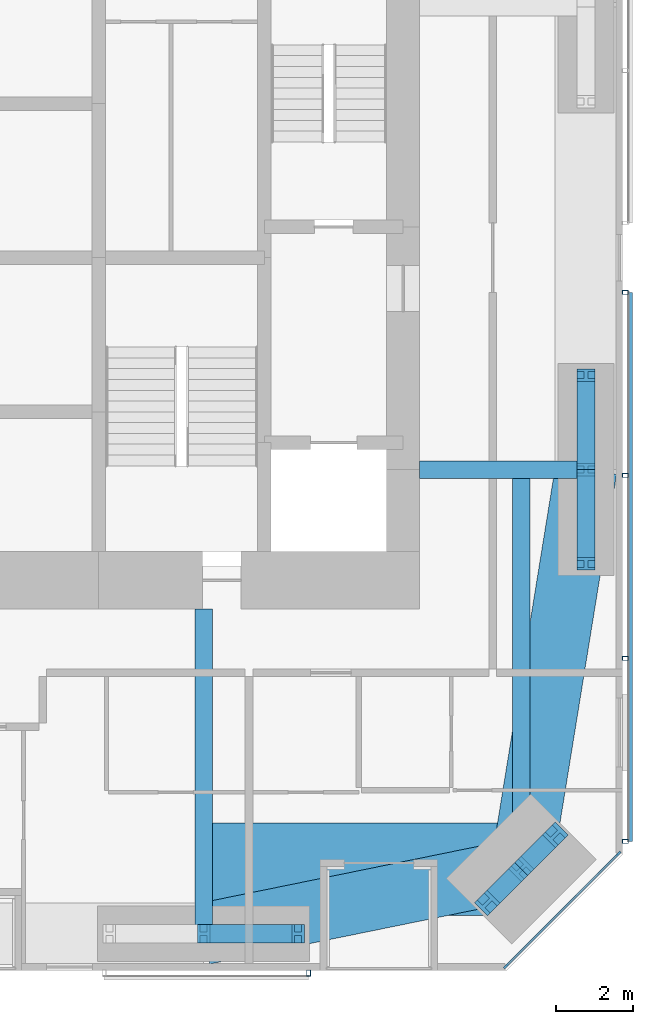
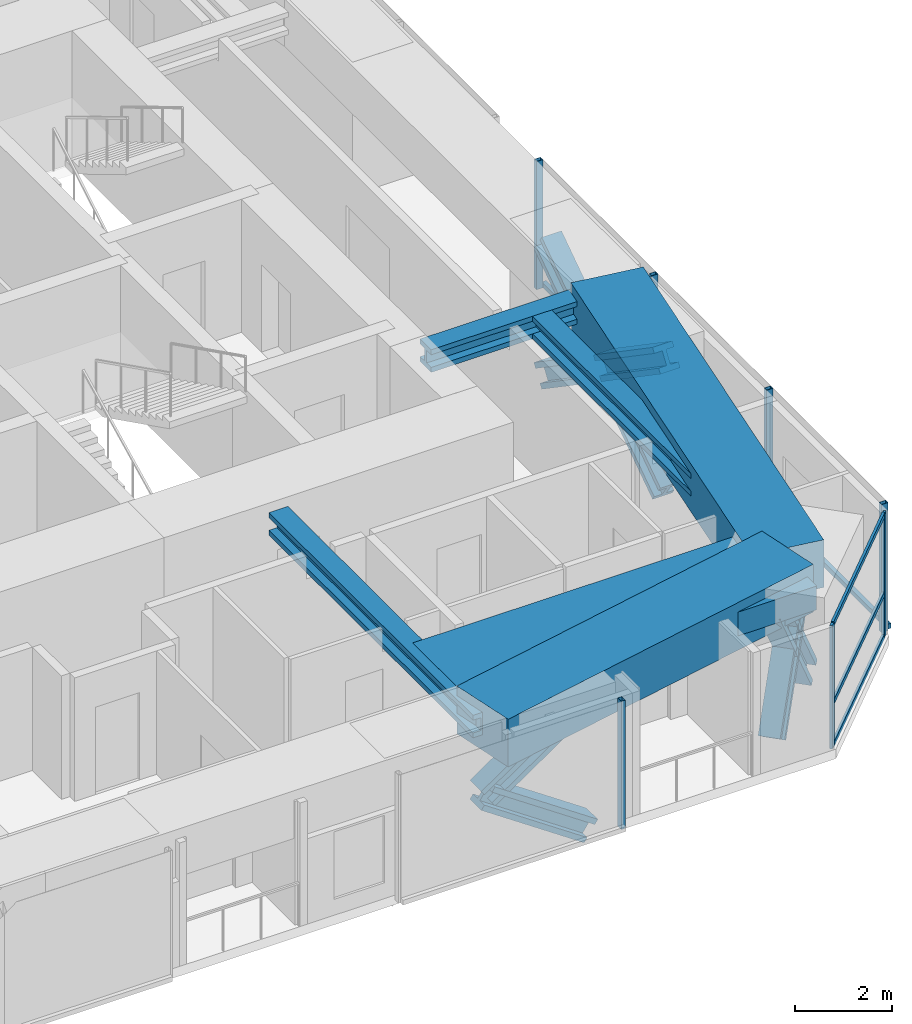
# One storey, part 8 of 23: 21 members, 6 beams, 3 elements without a shape of their own.
"""IFC4 building model written with IfcOpenShell, lengths in metres."""

from ifc_helpers import new_model, si_unit, direction, frame, origin, origin_2d, place, context, subcontext, project, spatial, rectangle, hollow_rectangle, i_section, extrude, material, material_profile, profile_set, type_object, element, aggregate, save


model = new_model("IFC4")

# Units and contexts
model_context = context("Model", 3, precision=1e-05, world=origin(), true_north=direction((0.0, 1.0)))
body_context = subcontext(model_context, "Body", "Model", "MODEL_VIEW")
ifc_project = project(units=[si_unit("LENGTHUNIT", "METRE"), si_unit("AREAUNIT", "SQUARE_METRE"), si_unit("VOLUMEUNIT", "CUBIC_METRE"), si_unit("PLANEANGLEUNIT", "RADIAN"), si_unit("MASSUNIT", "GRAM", prefix="KILO")], contexts=[model_context])

# Site, building, storey
site_placement = place(None, origin())
site = spatial("IfcSite", under=ifc_project, at=site_placement, CompositionType="ELEMENT")
building_placement = place(site_placement, origin())
building = spatial("IfcBuilding", under=site, at=building_placement, Name="Jalousie Tower", CompositionType="ELEMENT")
storey_placement = place(building_placement, frame((0.0, 0.0, 108.199951171875)))
storey = spatial("IfcBuildingStorey", under=building, at=storey_placement, Name="L29", CompositionType="ELEMENT", Elevation=108.199951171875)

# Curtain wall, members
ifc_material_1 = material(Name="Aluminium curtain wall", Category="aluminium")
curtain_wall_type_1 = type_object("IfcCurtainWallType", Name="CORNER WINDOW WALL", PredefinedType="USERDEFINED", material=ifc_material_1)
curtain_wall_1_placement = place(storey_placement, origin())
curtain_wall_1 = element("IfcCurtainWall", 1, at=curtain_wall_1_placement, inside=storey, type_object=curtain_wall_type_1, Name="Corner Window Wall L29 2", ObjectType="CORNER WINDOW WALL", PredefinedType="USERDEFINED")
ifc_material_2 = material(Name="Aluminium mullion", Category="aluminium")
ifc_material_profile_1 = material_profile(ifc_material_2, rectangle(XDim=0.06005859375, YDim=0.14990234375, at=origin_2d()), Name="MULLION 60x150")
ifc_profile_set_1 = profile_set([ifc_material_profile_1], Name="Aluminium mullion")
member_type_1 = type_object("IfcMemberType", Name="CORNER WINDOW WALL MULLION", PredefinedType="MULLION", material=ifc_profile_set_1)
member_1_placement = place(storey_placement, frame((46.469970703125, 0.108642578125, 0.0), z_axis=(0.0, 0.0, 1.0), x_axis=(-0.707106781187, 0.707106781187, 0.0)))
member_1 = element("IfcMember", 2, at=member_1_placement, type_object=member_type_1, Name="CW-C mullion 1", PredefinedType="MULLION", context=body_context, shape_type="SweptSolid", body=[
    extrude(rectangle(XDim=0.06005859375, YDim=0.14990234375, at=origin_2d()), origin(), (0.0, 0.0, 1.0), 3.110107421875),
])
member_2_placement = place(storey_placement, frame((49.391357421875, 3.030029296875, 0.0), z_axis=(0.0, 0.0, 1.0), x_axis=(-0.707106781187, 0.707106781187, 0.0)))
member_2 = element("IfcMember", 3, at=member_2_placement, type_object=member_type_1, Name="CW-C mullion 2", PredefinedType="MULLION", context=body_context, shape_type="SweptSolid", body=[
    extrude(rectangle(XDim=0.06005859375, YDim=0.14990234375, at=origin_2d()), origin(), (0.0, 0.0, 1.0), 3.110107421875),
])
ifc_material_3 = material(Name="Aluminium transom", Category="aluminium")
ifc_material_profile_2 = material_profile(ifc_material_3, rectangle(XDim=0.06005859375, YDim=0.1201171875, at=origin_2d()), Name="TRANSOM 60x120")
ifc_profile_set_2 = profile_set([ifc_material_profile_2], Name="Aluminium transom")
member_type_2 = type_object("IfcMemberType", Name="CORNER WINDOW WALL TRANSOM", PredefinedType="USERDEFINED", material=ifc_profile_set_2)
member_3_placement = place(storey_placement, frame((46.4912109375, 0.1298828125, 0.030029296875), z_axis=(0.707106781187, 0.707106781187, 0.0), x_axis=(-0.707106781187, 0.707106781187, 0.0)))
member_3 = element("IfcMember", 4, at=member_3_placement, type_object=member_type_2, Name="CW-C transom 1.1", ObjectType="TRANSOM", PredefinedType="USERDEFINED", context=body_context, shape_type="SweptSolid", body=[
    extrude(rectangle(XDim=0.06005859375, YDim=0.1201171875, at=origin_2d()), origin(), (0.0, 0.0, 1.0), 4.0712890625),
])
member_4_placement = place(storey_placement, frame((46.4912109375, 0.1298828125, 1.10009765625), z_axis=(0.707106781187, 0.707106781187, 0.0), x_axis=(-0.707106781187, 0.707106781187, 0.0)))
member_4 = element("IfcMember", 5, at=member_4_placement, type_object=member_type_2, Name="CW-C transom 1.2", ObjectType="TRANSOM", PredefinedType="USERDEFINED", context=body_context, shape_type="SweptSolid", body=[
    extrude(rectangle(XDim=0.06005859375, YDim=0.1201171875, at=origin_2d()), origin(), (0.0, 0.0, 1.0), 4.0712890625),
])
member_5_placement = place(storey_placement, frame((46.4912109375, 0.1298828125, 3.080078125), z_axis=(0.707106781187, 0.707106781187, 0.0), x_axis=(-0.707106781187, 0.707106781187, 0.0)))
member_5 = element("IfcMember", 6, at=member_5_placement, type_object=member_type_2, Name="CW-C transom 1.3", ObjectType="TRANSOM", PredefinedType="USERDEFINED", context=body_context, shape_type="SweptSolid", body=[
    extrude(rectangle(XDim=0.06005859375, YDim=0.1201171875, at=origin_2d()), origin(), (0.0, 0.0, 1.0), 4.0712890625),
])
aggregate(curtain_wall_1, [member_1, member_2, member_3, member_4, member_5])

# Beams
ifc_material_4 = material(Name="Steel ASTM A992 Grade 50", Category="steel")
ifc_material_profile_3 = material_profile(ifc_material_4, i_section(OverallWidth=0.45458984375, OverallDepth=0.569091796875, WebThickness=0.077880859375, FlangeThickness=0.124755859375, at=origin_2d()), Name="W14X730")
ifc_profile_set_3 = profile_set([ifc_material_profile_3], Name="Steel ASTM A992 Grade 50")
beam_type_1 = type_object("IfcBeamType", Name="LEAN COLLECTOR W14X730", PredefinedType="BEAM", material=ifc_profile_set_3)
beam_1_placement = place(storey_placement, frame((38.625, 0.949951171875, 2.825439453125), z_axis=(0.0, 1.0, 0.0), x_axis=(-1.0, 0.0, 0.0)))
element("IfcBeam", 7, at=beam_1_placement, inside=storey, type_object=beam_type_1, Name="Lean collector under L30", PredefinedType="BEAM", context=body_context, shape_type="SweptSolid", body=[
    extrude(i_section(OverallWidth=0.45458984375, OverallDepth=0.569091796875, WebThickness=0.077880859375, FlangeThickness=0.124755859375, at=origin_2d()), origin(), (0.0, 0.0, 1.0), 8.425048828125),
])
beam_2_placement = place(storey_placement, frame((48.550048828125, 13.0, 2.825439453125), z_axis=(-1.0, 0.0, 0.0), x_axis=(0.0, -1.0, 0.0)))
element("IfcBeam", 8, at=beam_2_placement, inside=storey, type_object=beam_type_1, Name="Lean collector under L30", PredefinedType="BEAM", context=body_context, shape_type="SweptSolid", body=[
    extrude(i_section(OverallWidth=0.45458984375, OverallDepth=0.569091796875, WebThickness=0.077880859375, FlangeThickness=0.124755859375, at=origin_2d()), origin(), (0.0, 0.0, 1.0), 4.324951171875),
])
beam_3_placement = place(storey_placement, frame((46.86865234375, 2.63134765625, 2.825439453125), z_axis=(0.0, 1.0, 0.0), x_axis=(-1.0, 0.0, 0.0)))
element("IfcBeam", 9, at=beam_3_placement, inside=storey, type_object=beam_type_1, Name="Lean collector under L30", PredefinedType="BEAM", context=body_context, shape_type="SweptSolid", body=[
    extrude(i_section(OverallWidth=0.45458984375, OverallDepth=0.569091796875, WebThickness=0.077880859375, FlangeThickness=0.124755859375, at=origin_2d()), origin(), (0.0, 0.0, 1.0), 10.36865234375),
])

# Members
ifc_material_5 = material(Name="Steel ASTM A992 Grade 50", Category="steel")
ifc_material_profile_4 = material_profile(ifc_material_5, i_section(OverallWidth=0.472412109375, OverallDepth=0.5791015625, WebThickness=0.094970703125, FlangeThickness=0.1298828125, at=origin_2d()), Name="W14X808")
ifc_profile_set_4 = profile_set([ifc_material_profile_4], Name="Steel ASTM A992 Grade 50")
member_type_3 = type_object("IfcMemberType", Name="PERIMETER BRACE W14X808", PredefinedType="BRACE", material=ifc_profile_set_4)
for number, where, z_axis, x_axis, name in (
    (10, (38.625, 0.949951171875, 1.074951171875), (0.825500916831, 0.0, 0.564400776321), (0.0, 1.0, 0.0), "Perimeter brace 04 L29 part 2"),
    (11, (41.074951171875, 0.949951171875, -0.599853515625), (-0.825539243753, 0.0, 0.564344714713), (0.0, -1.0, 0.0), "Perimeter brace 04 L29 part 3"),
):
    element("IfcMember", number, at=place(storey_placement, frame(where, z_axis=z_axis, x_axis=x_axis)), inside=storey, type_object=member_type_3, Name=name, PredefinedType="BRACE", context=body_context, shape_type="SweptSolid", body=[
        extrude(i_section(OverallWidth=0.472412109375, OverallDepth=0.5791015625, WebThickness=0.094970703125, FlangeThickness=0.1298828125, at=origin_2d()), origin(), (0.0, 0.0, 1.0), 2.9677734375),
    ])
member_6_placement = place(storey_placement, frame((45.984619140625, 1.74755859375, -0.599853515625), z_axis=(0.423008127391, 0.422891306588, 0.801390708065), x_axis=(-0.70700912125, 0.707204427637, 0.0)))
element("IfcMember", 12, at=member_6_placement, inside=storey, type_object=member_type_3, Name="Perimeter brace 05 L29 part 1", PredefinedType="BRACE", context=body_context, shape_type="SweptSolid", body=[
    extrude(i_section(OverallWidth=0.472412109375, OverallDepth=0.5791015625, WebThickness=0.094970703125, FlangeThickness=0.1298828125, at=origin_2d()), origin(), (0.0, 0.0, 1.0), 2.08984375),
])
member_7_placement = place(storey_placement, frame((46.86865234375, 2.63134765625, 1.074951171875), z_axis=(0.422851718556, 0.422968528423, 0.801432497518), x_axis=(-0.707204427637, 0.70700912125, 0.0)))
element("IfcMember", 13, at=member_7_placement, inside=storey, type_object=member_type_3, Name="Perimeter brace 05 L29 part 2", PredefinedType="BRACE", context=body_context, shape_type="SweptSolid", body=[
    extrude(i_section(OverallWidth=0.472412109375, OverallDepth=0.5791015625, WebThickness=0.094970703125, FlangeThickness=0.1298828125, at=origin_2d()), origin(), (0.0, 0.0, 1.0), 2.090087890625),
])
member_8_placement = place(storey_placement, frame((47.75244140625, 3.515380859375, -0.599853515625), z_axis=(-0.422891306588, -0.423008127391, 0.801390708065), x_axis=(0.707204427637, -0.70700912125, 0.0)))
element("IfcMember", 14, at=member_8_placement, inside=storey, type_object=member_type_3, Name="Perimeter brace 05 L29 part 3", PredefinedType="BRACE", context=body_context, shape_type="SweptSolid", body=[
    extrude(i_section(OverallWidth=0.472412109375, OverallDepth=0.5791015625, WebThickness=0.094970703125, FlangeThickness=0.1298828125, at=origin_2d()), origin(), (0.0, 0.0, 1.0), 2.08984375),
])
member_9_placement = place(storey_placement, frame((46.86865234375, 2.63134765625, 1.074951171875), z_axis=(-0.422968528423, -0.422851718556, 0.801432497518), x_axis=(0.70700912125, -0.707204427637, 0.0)))
element("IfcMember", 15, at=member_9_placement, inside=storey, type_object=member_type_3, Name="Perimeter brace 05 L29 part 4", PredefinedType="BRACE", context=body_context, shape_type="SweptSolid", body=[
    extrude(i_section(OverallWidth=0.472412109375, OverallDepth=0.5791015625, WebThickness=0.094970703125, FlangeThickness=0.1298828125, at=origin_2d()), origin(), (0.0, 0.0, 1.0), 2.090087890625),
])
for number, where, z_axis, x_axis, name in (
    (16, (48.550048828125, 10.550048828125, -0.599853515625), (0.0, 0.825539243753, 0.564344714713), (-1.0, 0.0, 0.0), "Perimeter brace 06 L29 part 1"),
    (17, (48.550048828125, 13.0, 1.074951171875), (0.0, 0.825500916831, 0.564400776321), (-1.0, 0.0, 0.0), "Perimeter brace 06 L29 part 2"),
    (18, (48.550048828125, 15.449951171875, -0.599853515625), (0.0, -0.825539243753, 0.564344714713), (1.0, 0.0, 0.0), "Perimeter brace 06 L29 part 3"),
    (19, (48.550048828125, 13.0, 1.074951171875), (0.0, -0.825500916831, 0.564400776321), (1.0, 0.0, 0.0), "Perimeter brace 06 L29 part 4"),
):
    element("IfcMember", number, at=place(storey_placement, frame(where, z_axis=z_axis, x_axis=x_axis)), inside=storey, type_object=member_type_3, Name=name, PredefinedType="BRACE", context=body_context, shape_type="SweptSolid", body=[
        extrude(i_section(OverallWidth=0.472412109375, OverallDepth=0.5791015625, WebThickness=0.094970703125, FlangeThickness=0.1298828125, at=origin_2d()), origin(), (0.0, 0.0, 1.0), 2.9677734375),
    ])

# Beams
ifc_material_6 = material(Name="Concrete f'c 40 MPa", Category="concrete")
ifc_material_profile_5 = material_profile(ifc_material_6, rectangle(XDim=1.60009765625, YDim=1.199951171875, at=origin_2d()), Name="RC 1600x1200")
ifc_profile_set_5 = profile_set([ifc_material_profile_5], Name="Concrete f'c 40 MPa")
beam_type_2 = type_object("IfcBeamType", Name="RC BEAM 1600x1200", PredefinedType="BEAM", material=ifc_profile_set_5)
beam_4_placement = place(storey_placement, frame((38.625, 0.949951171875, 2.75), z_axis=(0.97982690954, 0.199848010602, 0.0), x_axis=(-0.199848010602, 0.97982690954, 0.0)))
element("IfcBeam", 20, at=beam_4_placement, inside=storey, type_object=beam_type_2, Name="Edge band beam 04-05 under L30", PredefinedType="BEAM", context=body_context, shape_type="SweptSolid", body=[
    extrude(rectangle(XDim=1.60009765625, YDim=1.199951171875, at=origin_2d()), origin(), (0.0, 0.0, 1.0), 8.413330078125),
])
beam_5_placement = place(storey_placement, frame((46.86865234375, 2.63134765625, 2.75), z_axis=(0.160070546476, 0.987105577003, 0.0), x_axis=(-0.987105577003, 0.160070546476, 0.0)))
element("IfcBeam", 21, at=beam_5_placement, inside=storey, type_object=beam_type_2, Name="Edge band beam 05-06 under L30", PredefinedType="BEAM", context=body_context, shape_type="SweptSolid", body=[
    extrude(rectangle(XDim=1.60009765625, YDim=1.199951171875, at=origin_2d()), origin(), (0.0, 0.0, 1.0), 10.504150390625),
])
ifc_material_7 = material(Name="Concrete f'c 40 MPa", Category="concrete")
ifc_material_profile_6 = material_profile(ifc_material_7, rectangle(XDim=2.39990234375, YDim=0.60009765625, at=origin_2d()), Name="RC 2400x600")
ifc_profile_set_6 = profile_set([ifc_material_profile_6], Name="Concrete f'c 40 MPa")
beam_type_3 = type_object("IfcBeamType", Name="RC BEAM 2400x600", PredefinedType="BEAM", material=ifc_profile_set_6)
beam_6_placement = place(storey_placement, frame((46.86865234375, 2.63134765625, 2.81005859375), z_axis=(-1.0, 0.0, 0.0), x_axis=(0.0, -1.0, 0.0)))
element("IfcBeam", 22, at=beam_6_placement, inside=storey, type_object=beam_type_3, Name="Floor band beam under L30", PredefinedType="BEAM", context=body_context, shape_type="SweptSolid", body=[
    extrude(rectangle(XDim=2.39990234375, YDim=0.60009765625, at=origin_2d()), origin(), (0.0, 0.0, 1.0), 8.24365234375),
])

# Curtain wall, member
ifc_material_8 = material(Name="Perforated aluminium sheet", Category="aluminium")
curtain_wall_type_2 = type_object("IfcCurtainWallType", Name="SOLAR SCREEN SS-1", PredefinedType="USERDEFINED", material=ifc_material_8)
curtain_wall_2_placement = place(storey_placement, origin())
curtain_wall_2 = element("IfcCurtainWall", 23, at=curtain_wall_2_placement, inside=storey, type_object=curtain_wall_type_2, Name="Solar screen L29", ObjectType="SOLAR SCREEN SS-1", PredefinedType="USERDEFINED")
ifc_material_9 = material(Name="Steel ASTM A500 Grade C", Category="steel")
ifc_material_profile_7 = material_profile(ifc_material_9, hollow_rectangle(XDim=0.1015625, YDim=0.15234375, WallThickness=0.00634765625, at=origin_2d()), Name="HSS6X4X1/4")
ifc_profile_set_7 = profile_set([ifc_material_profile_7], Name="Steel ASTM A500 Grade C")
member_type_4 = type_object("IfcMemberType", Name="SOLAR SCREEN SS-1 MULLION", PredefinedType="MULLION", material=ifc_profile_set_7)
member_10_placement = place(storey_placement, frame((41.35009765625, -0.0712890625, -0.119873046875), z_axis=(0.0, 0.0, 1.0), x_axis=(1.0, 0.0, 0.0)))
member_10 = element("IfcMember", 24, at=member_10_placement, type_object=member_type_4, Name="SS1 post 2", PredefinedType="MULLION", context=body_context, shape_type="SweptSolid", body=[
    extrude(hollow_rectangle(XDim=0.1015625, YDim=0.15234375, WallThickness=0.00634765625, at=origin_2d()), origin(), (0.0, 0.0, 1.0), 3.22998046875),
])
aggregate(curtain_wall_2, [member_10])

# Curtain wall, members
curtain_wall_3_placement = place(storey_placement, origin())
curtain_wall_3 = element("IfcCurtainWall", 25, at=curtain_wall_3_placement, inside=storey, type_object=curtain_wall_type_2, Name="Solar screen L29", ObjectType="SOLAR SCREEN SS-1", PredefinedType="USERDEFINED")
member_11_placement = place(storey_placement, frame((49.5712890625, 3.351318359375, -0.119873046875), z_axis=(0.0, 0.0, 1.0), x_axis=(0.0, 1.0, 0.0)))
member_11 = element("IfcMember", 26, at=member_11_placement, type_object=member_type_4, Name="SS1 post 1", PredefinedType="MULLION", context=body_context, shape_type="SweptSolid", body=[
    extrude(hollow_rectangle(XDim=0.1015625, YDim=0.15234375, WallThickness=0.00634765625, at=origin_2d()), origin(), (0.0, 0.0, 1.0), 3.22998046875),
])
member_12_placement = place(storey_placement, frame((49.5712890625, 8.100830078125, -0.119873046875), z_axis=(0.0, 0.0, 1.0), x_axis=(0.0, 1.0, 0.0)))
member_12 = element("IfcMember", 27, at=member_12_placement, type_object=member_type_4, Name="SS1 post 2", PredefinedType="MULLION", context=body_context, shape_type="SweptSolid", body=[
    extrude(hollow_rectangle(XDim=0.1015625, YDim=0.15234375, WallThickness=0.00634765625, at=origin_2d()), origin(), (0.0, 0.0, 1.0), 3.22998046875),
])
member_13_placement = place(storey_placement, frame((49.5712890625, 12.850341796875, -0.119873046875), z_axis=(0.0, 0.0, 1.0), x_axis=(0.0, 1.0, 0.0)))
member_13 = element("IfcMember", 28, at=member_13_placement, type_object=member_type_4, Name="SS1 post 3", PredefinedType="MULLION", context=body_context, shape_type="SweptSolid", body=[
    extrude(hollow_rectangle(XDim=0.1015625, YDim=0.15234375, WallThickness=0.00634765625, at=origin_2d()), origin(), (0.0, 0.0, 1.0), 3.22998046875),
])
member_14_placement = place(storey_placement, frame((49.5712890625, 17.60009765625, -0.119873046875), z_axis=(0.0, 0.0, 1.0), x_axis=(0.0, 1.0, 0.0)))
member_14 = element("IfcMember", 29, at=member_14_placement, type_object=member_type_4, Name="SS1 post 4", PredefinedType="MULLION", context=body_context, shape_type="SweptSolid", body=[
    extrude(hollow_rectangle(XDim=0.1015625, YDim=0.15234375, WallThickness=0.00634765625, at=origin_2d()), origin(), (0.0, 0.0, 1.0), 3.22998046875),
])
ifc_material_10 = material(Name="Extruded aluminium screen rail", Category="aluminium")
ifc_material_profile_8 = material_profile(ifc_material_10, rectangle(XDim=0.1015625, YDim=0.1201171875, at=origin_2d()), Name="RAIL 102x120")
ifc_profile_set_8 = profile_set([ifc_material_profile_8], Name="Extruded aluminium screen rail")
member_type_5 = type_object("IfcMemberType", Name="SOLAR SCREEN SS-1 TRANSOM", PredefinedType="USERDEFINED", material=ifc_profile_set_8)
member_15_placement = place(storey_placement, frame((49.6982421875, 3.351318359375, -0.06005859375), z_axis=(0.0, 1.0, 0.0), x_axis=(-1.0, 0.0, 0.0)))
member_15 = element("IfcMember", 30, at=member_15_placement, type_object=member_type_5, Name="SS1 rail", ObjectType="TRANSOM", PredefinedType="USERDEFINED", context=body_context, shape_type="SweptSolid", body=[
    extrude(rectangle(XDim=0.1015625, YDim=0.1201171875, at=origin_2d()), origin(), (0.0, 0.0, 1.0), 14.248779296875),
])
aggregate(curtain_wall_3, [member_11, member_12, member_13, member_14, member_15])

save(model, "model.ifc")
